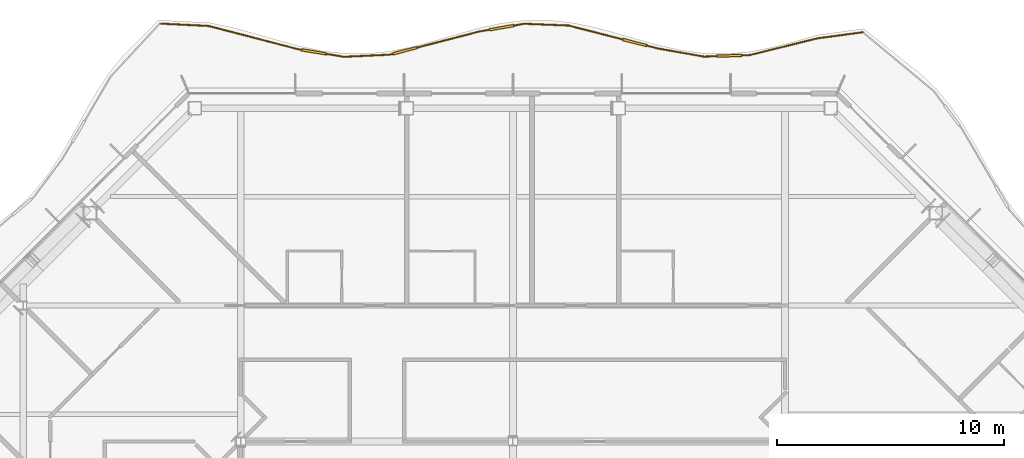
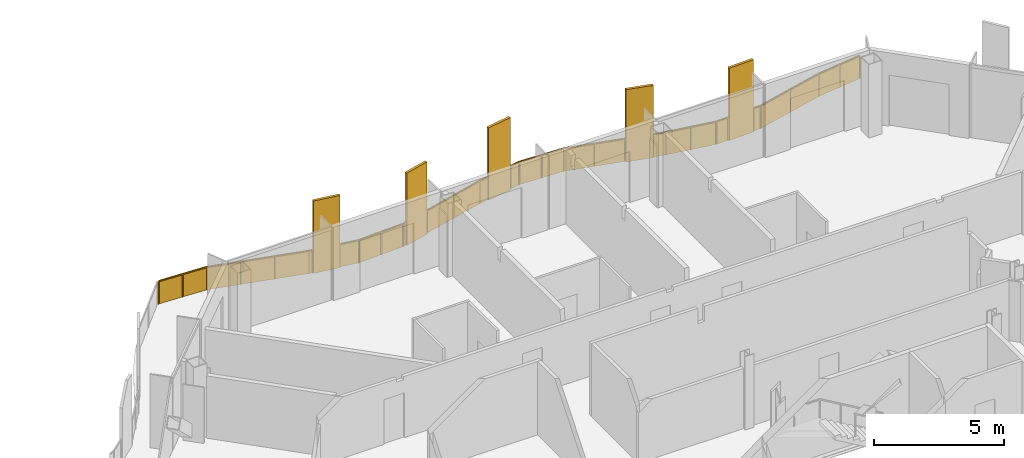
# One storey, part 20 of 21: 1 railing.
"""IFC4 building model written with IfcOpenShell, lengths in metres."""

from ifc_helpers import new_model, si_unit, direction, frame, origin, origin_2d, place, context, subcontext, project, spatial, polyline, rectangle, outline, extrude, material, type_object, element, save


model = new_model("IFC4")

# Units and contexts
model_context = context("Model", 3, precision=1e-05, world=origin(), true_north=direction((0.0, 1.0)))
body_context = subcontext(model_context, "Body", "Model", "MODEL_VIEW")
ifc_project = project(units=[si_unit("LENGTHUNIT", "METRE"), si_unit("AREAUNIT", "SQUARE_METRE"), si_unit("VOLUMEUNIT", "CUBIC_METRE"), si_unit("PLANEANGLEUNIT", "RADIAN"), si_unit("MASSUNIT", "GRAM", prefix="KILO")], contexts=[model_context])

# Site, building, storey
site_placement = place(None, origin())
site = spatial("IfcSite", under=ifc_project, at=site_placement, CompositionType="ELEMENT")
building_placement = place(site_placement, origin())
building = spatial("IfcBuilding", under=site, at=building_placement, Name="Cairn Pilgrim Tower", CompositionType="ELEMENT")
storey_placement = place(building_placement, frame((0.0, 0.0, 157.800048828125)))
storey = spatial("IfcBuildingStorey", under=building, at=storey_placement, Name="L39", CompositionType="ELEMENT", Elevation=157.800048828125)

# Railing
ifc_material = material(Name="Bronze anodised aluminium rail, posts and fin screens with laminated glass infill", Category="aluminium")
railing_type = type_object("IfcRailingType", Name="BALCONY GUARD WITH FIN SCREENS", PredefinedType="GUARDRAIL", material=ifc_material)
railing_placement = place(storey_placement, frame((22.635498046875, 31.25146484375, 0.0)))
element("IfcRailing", 1, at=railing_placement, inside=storey, type_object=railing_type, Name="Balcony guard BGF-5 with fin screens", PredefinedType="GUARDRAIL", context=body_context, shape_type="SweptSolid", body=[
    extrude(rectangle(XDim=0.050048828125, YDim=0.050048828125, at=origin_2d()), frame((0.0, 0.0, 1.0751953125), z_axis=(-0.991172879778, -0.132575723241, 0.0), x_axis=(0.132575723241, -0.991172879778, 0.0)), (0.0, 0.0, 1.0), 2.018310546875),
    extrude(rectangle(XDim=0.050048828125, YDim=0.050048828125, at=origin_2d()), frame((-2.00048828125, -0.267578125, 1.0751953125), z_axis=(-0.970815619228, -0.239827090763, 0.0), x_axis=(0.239827090763, -0.970815619228, 0.0)), (0.0, 0.0, 1.0), 3.076416015625),
    extrude(rectangle(XDim=1.10009765625, YDim=0.110107421875, at=origin_2d()), frame((-5.892578125, -1.036376953125, 0.0), z_axis=(0.0, 0.0, 1.0), x_axis=(-0.999410014153, -0.034345649083, 0.0)), (0.0, 0.0, 1.0), 3.39990234375),
    extrude(rectangle(XDim=0.050048828125, YDim=0.050048828125, at=origin_2d()), frame((-4.987060546875, -1.00537109375, 1.0751953125), z_axis=(-0.999410014153, -0.034345649083, 0.0), x_axis=(0.034345649083, -0.999410014153, 0.0)), (0.0, 0.0, 1.0), 0.35595703125),
    extrude(rectangle(XDim=0.050048828125, YDim=0.050048828125, at=origin_2d()), frame((-6.442138671875, -1.055419921875, 1.0751953125), z_axis=(-0.999410014153, -0.034345649083, 0.0), x_axis=(0.034345649083, -0.999410014153, 0.0)), (0.0, 0.0, 1.0), 0.562744140625),
    extrude(rectangle(XDim=0.050048828125, YDim=0.050048828125, at=origin_2d()), frame((-7.004638671875, -1.07470703125, 1.0751953125), z_axis=(-0.98484379227, 0.173443664705, 0.0), x_axis=(-0.173443664705, -0.98484379227, 0.0)), (0.0, 0.0, 1.0), 2.038330078125),
    extrude(rectangle(XDim=1.10009765625, YDim=0.110107421875, at=origin_2d()), frame((-10.05810546875, -0.45263671875, 0.0), z_axis=(0.0, 0.0, 1.0), x_axis=(-0.96860346181, 0.248610807831, 0.0)), (0.0, 0.0, 1.0), 3.39990234375),
    extrude(rectangle(XDim=0.050048828125, YDim=0.050048828125, at=origin_2d()), frame((-9.011962890625, -0.72119140625, 1.0751953125), z_axis=(-0.96860346181, 0.248610807831, 0.0), x_axis=(-0.248610807831, -0.96860346181, 0.0)), (0.0, 0.0, 1.0), 0.5302734375),
    extrude(rectangle(XDim=0.050048828125, YDim=0.050048828125, at=origin_2d()), frame((-10.5908203125, -0.31591796875, 1.0751953125), z_axis=(-0.96860346181, 0.248610807831, 0.0), x_axis=(-0.248610807831, -0.96860346181, 0.0)), (0.0, 0.0, 1.0), 2.4609375),
    extrude(rectangle(XDim=0.050048828125, YDim=0.050048828125, at=origin_2d()), frame((-12.974609375, 0.2958984375, 1.0751953125), z_axis=(-0.99918210832, 0.040436547976, 0.0), x_axis=(-0.040436547976, -0.99918210832, 0.0)), (0.0, 0.0, 1.0), 1.956298828125),
    extrude(rectangle(XDim=1.10009765625, YDim=0.110107421875, at=origin_2d()), frame((-15.932373046875, 0.203369140625, 0.0), z_axis=(0.0, 0.0, 1.0), x_axis=(-0.985672915835, -0.168668025985, 0.0)), (0.0, 0.0, 1.0), 3.39990234375),
    extrude(rectangle(XDim=0.050048828125, YDim=0.050048828125, at=origin_2d()), frame((-14.92919921875, 0.375, 1.0751953125), z_axis=(-0.985672915835, -0.168668025985, 0.0), x_axis=(0.168668025985, -0.985672915835, 0.0)), (0.0, 0.0, 1.0), 0.4677734375),
    extrude(rectangle(XDim=0.050048828125, YDim=0.050048828125, at=origin_2d()), frame((-16.474609375, 0.110595703125, 1.0751953125), z_axis=(-0.985672915835, -0.168668025985, 0.0), x_axis=(0.168668025985, -0.985672915835, 0.0)), (0.0, 0.0, 1.0), 0.42529296875),
    extrude(rectangle(XDim=1.10009765625, YDim=0.110107421875, at=origin_2d()), frame((-20.197265625, -0.813720703125, 0.0), z_axis=(0.0, 0.0, 1.0), x_axis=(-0.968266663868, -0.249919322268, 0.0)), (0.0, 0.0, 1.0), 3.39990234375),
    extrude(rectangle(XDim=0.050048828125, YDim=0.050048828125, at=origin_2d()), frame((-16.893798828125, 0.038818359375, 1.0751953125), z_axis=(-0.968266663868, -0.249919322268, 0.0), x_axis=(0.249919322268, -0.968266663868, 0.0)), (0.0, 0.0, 1.0), 2.86181640625),
    extrude(rectangle(XDim=0.050048828125, YDim=0.050048828125, at=origin_2d()), frame((-20.729736328125, -0.951171875, 1.0751953125), z_axis=(-0.968266663868, -0.249919322268, 0.0), x_axis=(0.249919322268, -0.968266663868, 0.0)), (0.0, 0.0, 1.0), 0.14990234375),
    extrude(rectangle(XDim=0.050048828125, YDim=0.050048828125, at=origin_2d()), frame((-20.875, -0.98876953125, 1.0751953125), z_axis=(-0.998916560656, -0.046537134058, 0.0), x_axis=(0.046537134058, -0.998916560656, 0.0)), (0.0, 0.0, 1.0), 2.019775390625),
    extrude(rectangle(XDim=1.10009765625, YDim=0.110107421875, at=origin_2d()), frame((-24.210693359375, -0.864013671875, 0.0), z_axis=(0.0, 0.0, 1.0), x_axis=(-0.986494204238, 0.163796169076, 0.0)), (0.0, 0.0, 1.0), 3.39990234375),
    extrude(rectangle(XDim=0.050048828125, YDim=0.050048828125, at=origin_2d()), frame((-22.892578125, -1.082763671875, 1.0751953125), z_axis=(-0.986494204238, 0.163796169076, 0.0), x_axis=(-0.163796169076, -0.986494204238, 0.0)), (0.0, 0.0, 1.0), 0.7861328125),
    extrude(rectangle(XDim=0.050048828125, YDim=0.050048828125, at=origin_2d()), frame((-24.753173828125, -0.77392578125, 1.0751953125), z_axis=(-0.986494204238, 0.163796169076, 0.0), x_axis=(-0.163796169076, -0.986494204238, 0.0)), (0.0, 0.0, 1.0), 0.14990234375),
    extrude(rectangle(XDim=0.050048828125, YDim=0.050048828125, at=origin_2d()), frame((-24.901123046875, -0.749267578125, 1.0751953125), z_axis=(-0.967972754923, 0.251055264288, 0.0), x_axis=(-0.251055264288, -0.967972754923, 0.0)), (0.0, 0.0, 1.0), 4.094970703125),
    extrude(rectangle(XDim=0.050048828125, YDim=0.050048828125, at=origin_2d()), frame((-28.864990234375, 0.27880859375, 1.0751953125), z_axis=(-0.998833216271, 0.048292919494, 0.0), x_axis=(-0.048292919494, -0.998833216271, 0.0)), (0.0, 0.0, 1.0), 2.087890625),
    extrude(rectangle(XDim=0.050048828125, YDim=0.050048828125, at=origin_2d()), origin(), (0.0, 0.0, 1.0), 1.050048828125),
    extrude(rectangle(XDim=0.050048828125, YDim=0.050048828125, at=origin_2d()), frame((-1.000244140625, -0.1337890625, 0.0)), (0.0, 0.0, 1.0), 1.050048828125),
    extrude(rectangle(XDim=0.050048828125, YDim=0.050048828125, at=origin_2d()), frame((-2.00048828125, -0.267578125, 0.0)), (0.0, 0.0, 1.0), 1.050048828125),
    extrude(rectangle(XDim=0.050048828125, YDim=0.050048828125, at=origin_2d()), frame((-3.49365234375, -0.636474609375, 0.0)), (0.0, 0.0, 1.0), 1.050048828125),
    extrude(rectangle(XDim=0.050048828125, YDim=0.050048828125, at=origin_2d()), frame((-4.987060546875, -1.00537109375, 0.0)), (0.0, 0.0, 1.0), 1.050048828125),
    extrude(rectangle(XDim=0.050048828125, YDim=0.050048828125, at=origin_2d()), frame((-5.31787109375, -1.016845703125, 0.0)), (0.0, 0.0, 1.0), 1.050048828125),
    extrude(rectangle(XDim=0.050048828125, YDim=0.050048828125, at=origin_2d()), frame((-6.46728515625, -1.05615234375, 0.0)), (0.0, 0.0, 1.0), 1.050048828125),
    extrude(rectangle(XDim=0.050048828125, YDim=0.050048828125, at=origin_2d()), frame((-7.004638671875, -1.07470703125, 0.0)), (0.0, 0.0, 1.0), 1.050048828125),
    extrude(rectangle(XDim=0.050048828125, YDim=0.050048828125, at=origin_2d()), frame((-8.00830078125, -0.89794921875, 0.0)), (0.0, 0.0, 1.0), 1.050048828125),
    extrude(rectangle(XDim=0.050048828125, YDim=0.050048828125, at=origin_2d()), frame((-9.011962890625, -0.72119140625, 0.0)), (0.0, 0.0, 1.0), 1.050048828125),
    extrude(rectangle(XDim=0.050048828125, YDim=0.050048828125, at=origin_2d()), frame((-9.501220703125, -0.595703125, 0.0)), (0.0, 0.0, 1.0), 1.050048828125),
    extrude(rectangle(XDim=0.050048828125, YDim=0.050048828125, at=origin_2d()), frame((-10.615234375, -0.309814453125, 0.0)), (0.0, 0.0, 1.0), 1.050048828125),
    extrude(rectangle(XDim=0.050048828125, YDim=0.050048828125, at=origin_2d()), frame((-11.794921875, -0.0068359375, 0.0)), (0.0, 0.0, 1.0), 1.050048828125),
    extrude(rectangle(XDim=0.050048828125, YDim=0.050048828125, at=origin_2d()), frame((-12.974609375, 0.2958984375, 0.0)), (0.0, 0.0, 1.0), 1.050048828125),
    extrude(rectangle(XDim=0.050048828125, YDim=0.050048828125, at=origin_2d()), frame((-13.951904296875, 0.33544921875, 0.0)), (0.0, 0.0, 1.0), 1.050048828125),
    extrude(rectangle(XDim=0.050048828125, YDim=0.050048828125, at=origin_2d()), frame((-14.92919921875, 0.375, 0.0)), (0.0, 0.0, 1.0), 1.050048828125),
    extrude(rectangle(XDim=0.050048828125, YDim=0.050048828125, at=origin_2d()), frame((-15.36572265625, 0.30029296875, 0.0)), (0.0, 0.0, 1.0), 1.050048828125),
    extrude(rectangle(XDim=0.050048828125, YDim=0.050048828125, at=origin_2d()), frame((-16.499267578125, 0.1064453125, 0.0)), (0.0, 0.0, 1.0), 1.050048828125),
    extrude(rectangle(XDim=0.050048828125, YDim=0.050048828125, at=origin_2d()), frame((-16.893798828125, 0.038818359375, 0.0)), (0.0, 0.0, 1.0), 1.050048828125),
    extrude(rectangle(XDim=0.050048828125, YDim=0.050048828125, at=origin_2d()), frame((-18.26708984375, -0.315673828125, 0.0)), (0.0, 0.0, 1.0), 1.050048828125),
    extrude(rectangle(XDim=0.050048828125, YDim=0.050048828125, at=origin_2d()), frame((-19.640380859375, -0.670166015625, 0.0)), (0.0, 0.0, 1.0), 1.050048828125),
    extrude(rectangle(XDim=0.050048828125, YDim=0.050048828125, at=origin_2d()), frame((-20.754150390625, -0.95751953125, 0.0)), (0.0, 0.0, 1.0), 1.050048828125),
    extrude(rectangle(XDim=0.050048828125, YDim=0.050048828125, at=origin_2d()), frame((-20.875, -0.98876953125, 0.0)), (0.0, 0.0, 1.0), 1.050048828125),
    extrude(rectangle(XDim=0.050048828125, YDim=0.050048828125, at=origin_2d()), frame((-21.8837890625, -1.03564453125, 0.0)), (0.0, 0.0, 1.0), 1.050048828125),
    extrude(rectangle(XDim=0.050048828125, YDim=0.050048828125, at=origin_2d()), frame((-22.892578125, -1.082763671875, 0.0)), (0.0, 0.0, 1.0), 1.050048828125),
    extrude(rectangle(XDim=0.050048828125, YDim=0.050048828125, at=origin_2d()), frame((-23.643310546875, -0.9580078125, 0.0)), (0.0, 0.0, 1.0), 1.050048828125),
    extrude(rectangle(XDim=0.050048828125, YDim=0.050048828125, at=origin_2d()), frame((-24.77783203125, -0.769775390625, 0.0)), (0.0, 0.0, 1.0), 1.050048828125),
    extrude(rectangle(XDim=0.050048828125, YDim=0.050048828125, at=origin_2d()), frame((-24.901123046875, -0.749267578125, 0.0)), (0.0, 0.0, 1.0), 1.050048828125),
    extrude(rectangle(XDim=0.050048828125, YDim=0.050048828125, at=origin_2d()), frame((-26.222412109375, -0.406494140625, 0.0)), (0.0, 0.0, 1.0), 1.050048828125),
    extrude(rectangle(XDim=0.050048828125, YDim=0.050048828125, at=origin_2d()), frame((-27.543701171875, -0.06396484375, 0.0)), (0.0, 0.0, 1.0), 1.050048828125),
    extrude(rectangle(XDim=0.050048828125, YDim=0.050048828125, at=origin_2d()), frame((-28.864990234375, 0.27880859375, 0.0)), (0.0, 0.0, 1.0), 1.050048828125),
    extrude(rectangle(XDim=0.050048828125, YDim=0.050048828125, at=origin_2d()), frame((-29.90771484375, 0.3291015625, 0.0)), (0.0, 0.0, 1.0), 1.050048828125),
    extrude(rectangle(XDim=0.050048828125, YDim=0.050048828125, at=origin_2d()), frame((-30.950439453125, 0.379638671875, 0.0)), (0.0, 0.0, 1.0), 1.050048828125),
    extrude(outline(polyline([(0.02490234375, 0.0), (0.984130859375, 0.0), (0.984130859375, 1.050048828125), (0.02490234375, 1.050048828125), (0.02490234375, 0.0)])), frame((0.000732421875, -0.005859375, 0.0), z_axis=(-0.132575723241, 0.991172879778, 0.0), x_axis=(-0.991172879778, -0.132575723241, 0.0)), (0.0, 0.0, 1.0), 0.011962890625),
    extrude(outline(polyline([(0.02490234375, 0.0), (0.984130859375, 0.0), (0.984130859375, 1.050048828125), (0.02490234375, 1.050048828125), (0.02490234375, 0.0)])), frame((-0.99951171875, -0.1396484375, 0.0), z_axis=(-0.132575723241, 0.991172879778, 0.0), x_axis=(-0.991172879778, -0.132575723241, 0.0)), (0.0, 0.0, 1.0), 0.011962890625),
    extrude(outline(polyline([(0.02490234375, 0.0), (1.51318359375, 0.0), (1.51318359375, 1.050048828125), (0.02490234375, 1.050048828125), (0.02490234375, 0.0)])), frame((-1.9990234375, -0.2734375, 0.0), z_axis=(-0.239827090763, 0.970815619228, 0.0), x_axis=(-0.970815619228, -0.239827090763, 0.0)), (0.0, 0.0, 1.0), 0.011962890625),
    extrude(outline(polyline([(0.02490234375, 0.0), (1.51318359375, 0.0), (1.51318359375, 1.050048828125), (0.02490234375, 1.050048828125), (0.02490234375, 0.0)])), frame((-3.492431640625, -0.642333984375, 0.0), z_axis=(-0.239827090763, 0.970815619228, 0.0), x_axis=(-0.970815619228, -0.239827090763, 0.0)), (0.0, 0.0, 1.0), 0.011962890625),
    extrude(outline(polyline([(0.02490234375, 0.0), (0.305908203125, 0.0), (0.305908203125, 1.050048828125), (0.02490234375, 1.050048828125), (0.02490234375, 0.0)])), frame((-4.98681640625, -1.01123046875, 0.0), z_axis=(-0.034345649083, 0.999410014153, 0.0), x_axis=(-0.999410014153, -0.034345649083, 0.0)), (0.0, 0.0, 1.0), 0.011962890625),
    extrude(outline(polyline([(0.02490234375, 0.0), (0.5126953125, 0.0), (0.5126953125, 1.050048828125), (0.02490234375, 1.050048828125), (0.02490234375, 0.0)])), frame((-6.467041015625, -1.062255859375, 0.0), z_axis=(-0.034345649083, 0.999410014153, 0.0), x_axis=(-0.999410014153, -0.034345649083, 0.0)), (0.0, 0.0, 1.0), 0.011962890625),
    extrude(outline(polyline([(0.02490234375, 0.0), (0.994140625, 0.0), (0.994140625, 1.050048828125), (0.02490234375, 1.050048828125), (0.02490234375, 0.0)])), frame((-7.005615234375, -1.08056640625, 0.0), z_axis=(0.173443664705, 0.98484379227, 0.0), x_axis=(-0.98484379227, 0.173443664705, 0.0)), (0.0, 0.0, 1.0), 0.011962890625),
    extrude(outline(polyline([(0.02490234375, 0.0), (0.994140625, 0.0), (0.994140625, 1.050048828125), (0.02490234375, 1.050048828125), (0.02490234375, 0.0)])), frame((-8.00927734375, -0.90380859375, 0.0), z_axis=(0.173443664705, 0.98484379227, 0.0), x_axis=(-0.98484379227, 0.173443664705, 0.0)), (0.0, 0.0, 1.0), 0.011962890625),
    extrude(outline(polyline([(0.02490234375, 0.0), (0.480224609375, 0.0), (0.480224609375, 1.050048828125), (0.02490234375, 1.050048828125), (0.02490234375, 0.0)])), frame((-9.013427734375, -0.72705078125, 0.0), z_axis=(0.248610807831, 0.96860346181, 0.0), x_axis=(-0.96860346181, 0.248610807831, 0.0)), (0.0, 0.0, 1.0), 0.011962890625),
    extrude(outline(polyline([(0.02490234375, 0.0), (1.19287109375, 0.0), (1.19287109375, 1.050048828125), (0.02490234375, 1.050048828125), (0.02490234375, 0.0)])), frame((-10.61669921875, -0.3154296875, 0.0), z_axis=(0.248610807831, 0.96860346181, 0.0), x_axis=(-0.96860346181, 0.248610807831, 0.0)), (0.0, 0.0, 1.0), 0.011962890625),
    extrude(outline(polyline([(0.02490234375, 0.0), (1.19287109375, 0.0), (1.19287109375, 1.050048828125), (0.02490234375, 1.050048828125), (0.02490234375, 0.0)])), frame((-11.79638671875, -0.0126953125, 0.0), z_axis=(0.248610807831, 0.96860346181, 0.0), x_axis=(-0.96860346181, 0.248610807831, 0.0)), (0.0, 0.0, 1.0), 0.011962890625),
    extrude(outline(polyline([(0.02490234375, 0.0), (0.953125, 0.0), (0.953125, 1.050048828125), (0.02490234375, 1.050048828125), (0.02490234375, 0.0)])), frame((-12.974853515625, 0.2900390625, 0.0), z_axis=(0.040436547976, 0.99918210832, 0.0), x_axis=(-0.99918210832, 0.040436547976, 0.0)), (0.0, 0.0, 1.0), 0.011962890625),
    extrude(outline(polyline([(0.02490234375, 0.0), (0.953125, 0.0), (0.953125, 1.050048828125), (0.02490234375, 1.050048828125), (0.02490234375, 0.0)])), frame((-13.9521484375, 0.32958984375, 0.0), z_axis=(0.040436547976, 0.99918210832, 0.0), x_axis=(-0.99918210832, 0.040436547976, 0.0)), (0.0, 0.0, 1.0), 0.011962890625),
    extrude(outline(polyline([(0.02490234375, 0.0), (0.417724609375, 0.0), (0.417724609375, 1.050048828125), (0.02490234375, 1.050048828125), (0.02490234375, 0.0)])), frame((-14.92822265625, 0.369140625, 0.0), z_axis=(-0.168668025985, 0.985672915835, 0.0), x_axis=(-0.985672915835, -0.168668025985, 0.0)), (0.0, 0.0, 1.0), 0.011962890625),
    extrude(outline(polyline([(0.02490234375, 0.0), (0.375244140625, 0.0), (0.375244140625, 1.050048828125), (0.02490234375, 1.050048828125), (0.02490234375, 0.0)])), frame((-16.498291015625, 0.100341796875, 0.0), z_axis=(-0.168668025985, 0.985672915835, 0.0), x_axis=(-0.985672915835, -0.168668025985, 0.0)), (0.0, 0.0, 1.0), 0.011962890625),
    extrude(outline(polyline([(0.02490234375, 0.0), (1.393310546875, 0.0), (1.393310546875, 1.050048828125), (0.02490234375, 1.050048828125), (0.02490234375, 0.0)])), frame((-16.892333984375, 0.032958984375, 0.0), z_axis=(-0.249919322268, 0.968266663868, 0.0), x_axis=(-0.968266663868, -0.249919322268, 0.0)), (0.0, 0.0, 1.0), 0.011962890625),
    extrude(outline(polyline([(0.02490234375, 0.0), (1.393310546875, 0.0), (1.393310546875, 1.050048828125), (0.02490234375, 1.050048828125), (0.02490234375, 0.0)])), frame((-18.265625, -0.321533203125, 0.0), z_axis=(-0.249919322268, 0.968266663868, 0.0), x_axis=(-0.968266663868, -0.249919322268, 0.0)), (0.0, 0.0, 1.0), 0.011962890625),
    extrude(outline(polyline([(0.02490234375, 0.0), (0.099853515625, 0.0), (0.099853515625, 1.050048828125), (0.02490234375, 1.050048828125), (0.02490234375, 0.0)])), frame((-20.75244140625, -0.96337890625, 0.0), z_axis=(-0.249919322268, 0.968266663868, 0.0), x_axis=(-0.968266663868, -0.249919322268, 0.0)), (0.0, 0.0, 1.0), 0.011962890625),
    extrude(outline(polyline([(0.02490234375, 0.0), (0.98486328125, 0.0), (0.98486328125, 1.050048828125), (0.02490234375, 1.050048828125), (0.02490234375, 0.0)])), frame((-20.874755859375, -0.99462890625, 0.0), z_axis=(-0.046537134058, 0.998916560656, 0.0), x_axis=(-0.998916560656, -0.046537134058, 0.0)), (0.0, 0.0, 1.0), 0.011962890625),
    extrude(outline(polyline([(0.02490234375, 0.0), (0.98486328125, 0.0), (0.98486328125, 1.050048828125), (0.02490234375, 1.050048828125), (0.02490234375, 0.0)])), frame((-21.883544921875, -1.041748046875, 0.0), z_axis=(-0.046537134058, 0.998916560656, 0.0), x_axis=(-0.998916560656, -0.046537134058, 0.0)), (0.0, 0.0, 1.0), 0.011962890625),
    extrude(outline(polyline([(0.02490234375, 0.0), (0.736083984375, 0.0), (0.736083984375, 1.050048828125), (0.02490234375, 1.050048828125), (0.02490234375, 0.0)])), frame((-22.8935546875, -1.088623046875, 0.0), z_axis=(0.163796169076, 0.986494204238, 0.0), x_axis=(-0.986494204238, 0.163796169076, 0.0)), (0.0, 0.0, 1.0), 0.011962890625),
    extrude(outline(polyline([(0.02490234375, 0.0), (0.099853515625, 0.0), (0.099853515625, 1.050048828125), (0.02490234375, 1.050048828125), (0.02490234375, 0.0)])), frame((-24.77880859375, -0.775634765625, 0.0), z_axis=(0.163796169076, 0.986494204238, 0.0), x_axis=(-0.986494204238, 0.163796169076, 0.0)), (0.0, 0.0, 1.0), 0.011962890625),
    extrude(outline(polyline([(0.02490234375, 0.0), (1.340087890625, 0.0), (1.340087890625, 1.050048828125), (0.02490234375, 1.050048828125), (0.02490234375, 0.0)])), frame((-24.902587890625, -0.755126953125, 0.0), z_axis=(0.251055264288, 0.967972754923, 0.0), x_axis=(-0.967972754923, 0.251055264288, 0.0)), (0.0, 0.0, 1.0), 0.011962890625),
    extrude(outline(polyline([(0.02490234375, 0.0), (1.340087890625, 0.0), (1.340087890625, 1.050048828125), (0.02490234375, 1.050048828125), (0.02490234375, 0.0)])), frame((-26.223876953125, -0.412353515625, 0.0), z_axis=(0.251055264288, 0.967972754923, 0.0), x_axis=(-0.967972754923, 0.251055264288, 0.0)), (0.0, 0.0, 1.0), 0.011962890625),
    extrude(outline(polyline([(0.02490234375, 0.0), (1.340087890625, 0.0), (1.340087890625, 1.050048828125), (0.02490234375, 1.050048828125), (0.02490234375, 0.0)])), frame((-27.545166015625, -0.069580078125, 0.0), z_axis=(0.251055264288, 0.967972754923, 0.0), x_axis=(-0.967972754923, 0.251055264288, 0.0)), (0.0, 0.0, 1.0), 0.011962890625),
    extrude(outline(polyline([(0.02490234375, 0.0), (1.018798828125, 0.0), (1.018798828125, 1.050048828125), (0.02490234375, 1.050048828125), (0.02490234375, 0.0)])), frame((-28.865234375, 0.27294921875, 0.0), z_axis=(0.048292919494, 0.998833216271, 0.0), x_axis=(-0.998833216271, 0.048292919494, 0.0)), (0.0, 0.0, 1.0), 0.011962890625),
    extrude(outline(polyline([(0.02490234375, 0.0), (1.018798828125, 0.0), (1.018798828125, 1.050048828125), (0.02490234375, 1.050048828125), (0.02490234375, 0.0)])), frame((-29.907958984375, 0.3232421875, 0.0), z_axis=(0.048292919494, 0.998833216271, 0.0), x_axis=(-0.998833216271, 0.048292919494, 0.0)), (0.0, 0.0, 1.0), 0.011962890625),
])

save(model, "model.ifc")
